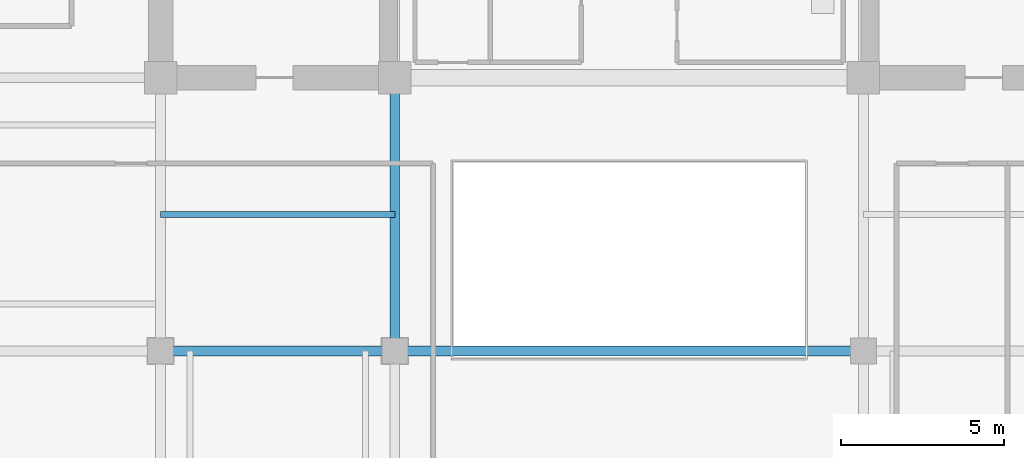
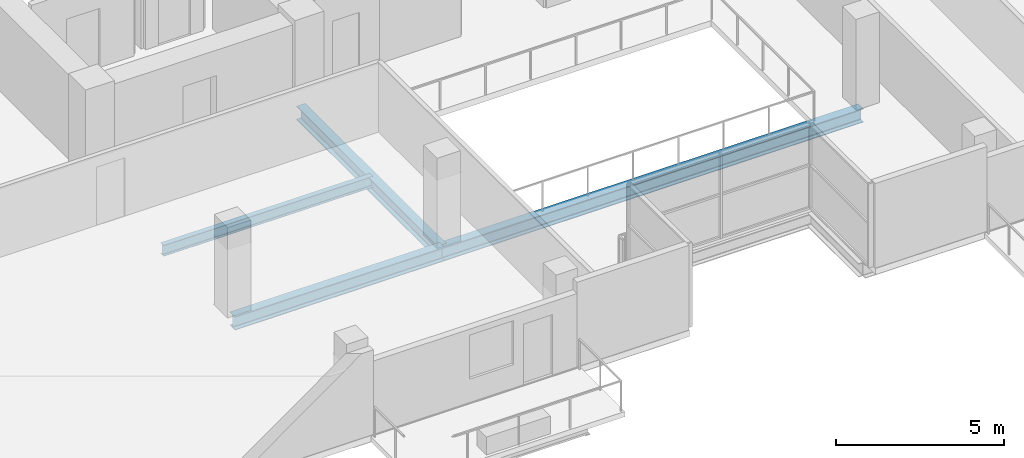
# One storey, part 3 of 21: 4 beams.
"""IFC4 building model written with IfcOpenShell, lengths in metres."""

from ifc_helpers import new_model, si_unit, direction, frame, origin, origin_2d, place, context, subcontext, project, spatial, i_section, extrude, material, material_profile, profile_set, type_object, element, save


model = new_model("IFC4")

# Units and contexts
model_context = context("Model", 3, precision=1e-05, world=origin(), true_north=direction((0.0, 1.0)))
body_context = subcontext(model_context, "Body", "Model", "MODEL_VIEW")
ifc_project = project(units=[si_unit("LENGTHUNIT", "METRE"), si_unit("AREAUNIT", "SQUARE_METRE"), si_unit("VOLUMEUNIT", "CUBIC_METRE"), si_unit("PLANEANGLEUNIT", "RADIAN"), si_unit("MASSUNIT", "GRAM", prefix="KILO")], contexts=[model_context])

# Site, building, storey
site_placement = place(None, origin())
site = spatial("IfcSite", under=ifc_project, at=site_placement, CompositionType="ELEMENT")
building_placement = place(site_placement, origin())
building = spatial("IfcBuilding", under=site, at=building_placement, Name="Zarnakvel Exchange Tower", CompositionType="ELEMENT")
storey_placement = place(building_placement, frame((0.0, 0.0, 159.39990234375)))
storey = spatial("IfcBuildingStorey", under=building, at=storey_placement, Name="L44", CompositionType="ELEMENT", Elevation=159.39990234375)

# Beams
ifc_material = material(Name="Steel S355", Category="steel")
ifc_material_profile_1 = material_profile(ifc_material, i_section(OverallWidth=0.179931640625, OverallDepth=0.39990234375, WebThickness=0.008544921875, FlangeThickness=0.013427734375, FilletRadius=0.02099609375, at=origin_2d()))
ifc_profile_set_1 = profile_set([ifc_material_profile_1], Name="Steel S355")
beam_type_1 = type_object("IfcBeamType", Name="B-06", PredefinedType="JOIST", material=ifc_profile_set_1)
beam_1_placement = place(storey_placement, frame((-14.39990234375, -5.39990234375, -0.4248046875), z_axis=(1.0, 0.0, 0.0), x_axis=(0.0, 1.0, 0.0)))
element("IfcBeam", 1, at=beam_1_placement, inside=storey, type_object=beam_type_1, Name="L44 Composite Floor Secondary Joist", PredefinedType="JOIST", context=body_context, shape_type="SweptSolid", body=[
    extrude(i_section(OverallWidth=0.179931640625, OverallDepth=0.39990234375, WebThickness=0.008544921875, FlangeThickness=0.013427734375, FilletRadius=0.02099609375, at=origin_2d()), origin(), (0.0, 0.0, 1.0), 7.199951171875),
])
ifc_material_profile_2 = material_profile(ifc_material, i_section(OverallWidth=0.300048828125, OverallDepth=0.5, WebThickness=0.014404296875, FlangeThickness=0.028076171875, FilletRadius=0.027099609375, at=origin_2d()))
ifc_profile_set_2 = profile_set([ifc_material_profile_2], Name="Steel S355")
beam_type_2 = type_object("IfcBeamType", Name="G-06", PredefinedType="BEAM", material=ifc_profile_set_2)
beam_2_placement = place(storey_placement, frame((-14.39990234375, -9.60009765625, -0.474853515625), z_axis=(1.0, 0.0, 0.0), x_axis=(0.0, 1.0, 0.0)))
element("IfcBeam", 2, at=beam_2_placement, inside=storey, type_object=beam_type_2, Name="L44 Tower E-W Frame Beam", PredefinedType="BEAM", context=body_context, shape_type="SweptSolid", body=[
    extrude(i_section(OverallWidth=0.300048828125, OverallDepth=0.5, WebThickness=0.014404296875, FlangeThickness=0.028076171875, FilletRadius=0.027099609375, at=origin_2d()), origin(), (0.0, 0.0, 1.0), 7.199951171875),
])
beam_3_placement = place(storey_placement, frame((-7.199951171875, -9.60009765625, -0.474853515625), z_axis=(1.0, 0.0, 0.0), x_axis=(0.0, 1.0, 0.0)))
element("IfcBeam", 3, at=beam_3_placement, inside=storey, type_object=beam_type_2, Name="L44 Tower E-W Frame Beam", PredefinedType="BEAM", context=body_context, shape_type="SweptSolid", body=[
    extrude(i_section(OverallWidth=0.300048828125, OverallDepth=0.5, WebThickness=0.014404296875, FlangeThickness=0.028076171875, FilletRadius=0.027099609375, at=origin_2d()), origin(), (0.0, 0.0, 1.0), 14.39990234375),
])
beam_4_placement = place(storey_placement, frame((-7.199951171875, -9.60009765625, -0.474853515625), z_axis=(0.0, 1.0, 0.0), x_axis=(-1.0, 0.0, 0.0)))
element("IfcBeam", 4, at=beam_4_placement, inside=storey, type_object=beam_type_2, Name="L44 Tower N-S Frame Beam", PredefinedType="BEAM", context=body_context, shape_type="SweptSolid", body=[
    extrude(i_section(OverallWidth=0.300048828125, OverallDepth=0.5, WebThickness=0.014404296875, FlangeThickness=0.028076171875, FilletRadius=0.027099609375, at=origin_2d()), origin(), (0.0, 0.0, 1.0), 8.400146484375),
])

save(model, "model.ifc")
